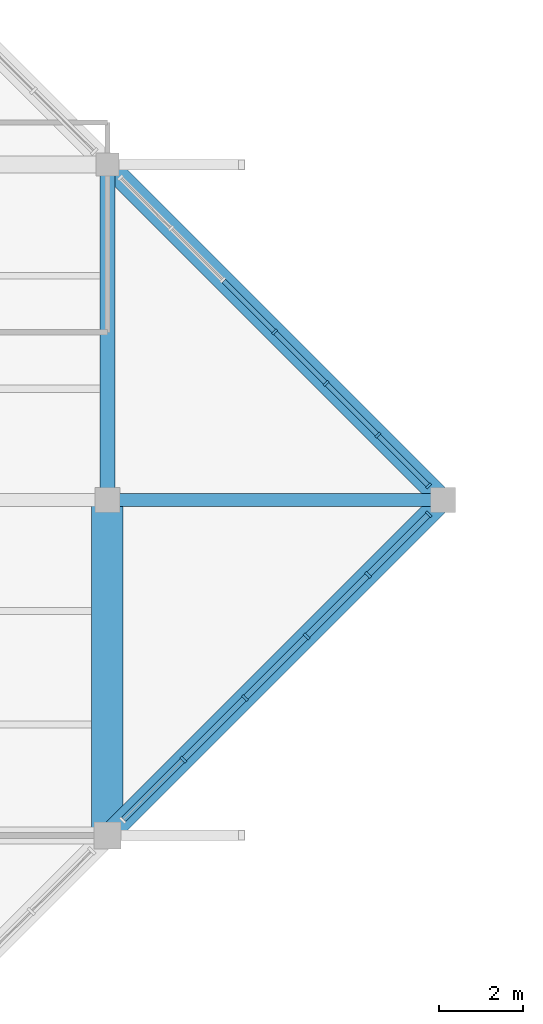
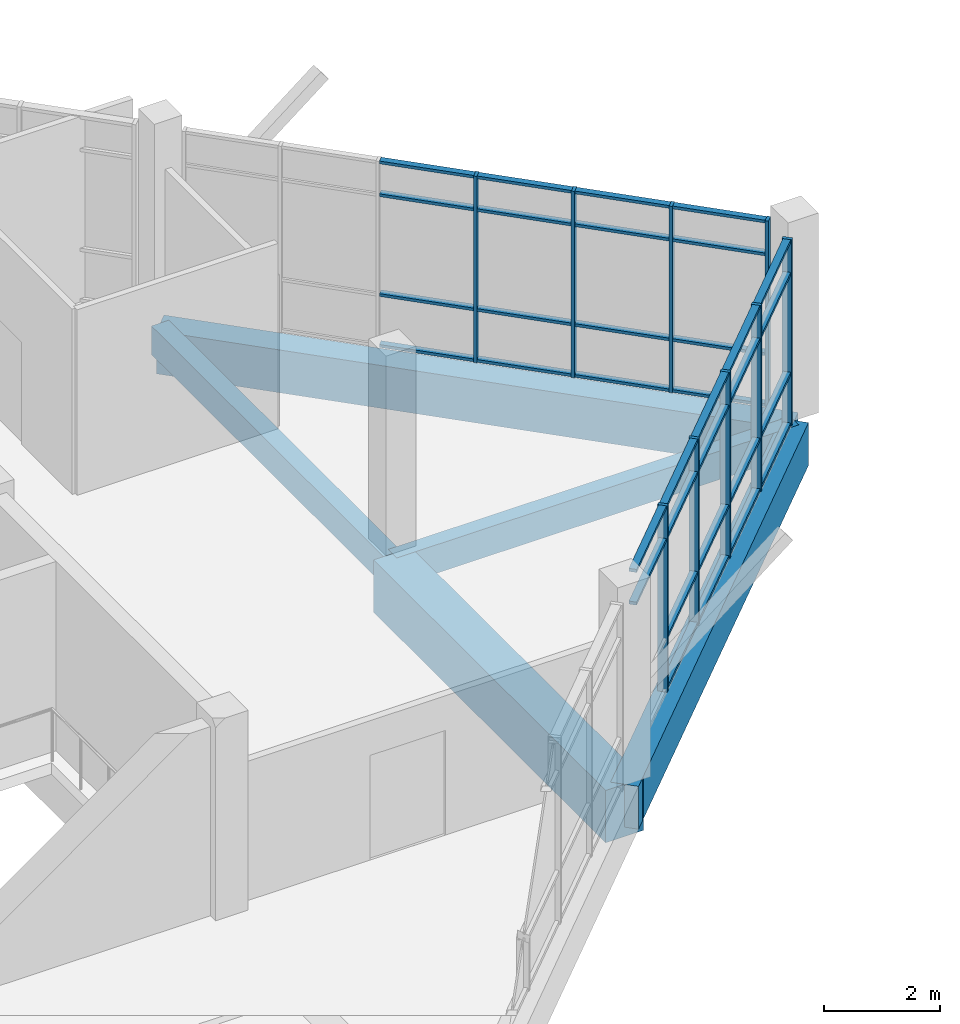
# One storey, part 23 of 72: 43 members, 5 beams, 2 elements without a shape of their own.
"""IFC4 building model written with IfcOpenShell, lengths in metres."""

from ifc_helpers import new_model, si_unit, direction, frame, origin, origin_2d, place, context, subcontext, project, spatial, rectangle, extrude, material, material_profile, profile_set, type_object, element, aggregate, save


model = new_model("IFC4")

# Units and contexts
model_context = context("Model", 3, precision=1e-05, world=origin(), true_north=direction((0.0, 1.0)))
body_context = subcontext(model_context, "Body", "Model", "MODEL_VIEW")
ifc_project = project(units=[si_unit("LENGTHUNIT", "METRE"), si_unit("AREAUNIT", "SQUARE_METRE"), si_unit("VOLUMEUNIT", "CUBIC_METRE"), si_unit("PLANEANGLEUNIT", "RADIAN"), si_unit("MASSUNIT", "GRAM", prefix="KILO")], contexts=[model_context])

# Site, building, storey
site_placement = place(None, origin())
site = spatial("IfcSite", under=ifc_project, at=site_placement, CompositionType="ELEMENT")
building_placement = place(site_placement, origin())
building = spatial("IfcBuilding", under=site, at=building_placement, Name="Tenunan Teduh Sports Hall", CompositionType="ELEMENT")
storey_placement = place(building_placement, frame((0.0, 0.0, 15.0)))
storey = spatial("IfcBuildingStorey", under=building, at=storey_placement, Name="L03", CompositionType="ELEMENT", Elevation=15.0)

# Beams
ifc_material_1 = material(Name="Concrete C40/50", Category="concrete")
ifc_material_profile_1 = material_profile(ifc_material_1, rectangle(XDim=0.300048828125, YDim=0.60009765625, at=origin_2d()), Name="RCB 300x600")
ifc_profile_set_1 = profile_set([ifc_material_profile_1], Name="Concrete C40/50")
beam_type_1 = type_object("IfcBeamType", Name="BM-RC-300x600", PredefinedType="BEAM", material=ifc_profile_set_1)
beam_1_placement = place(storey_placement, frame((70.0, 102.0, -0.5400390625), z_axis=(1.0, 0.0, 0.0), x_axis=(0.0, 1.0, 0.0)))
element("IfcBeam", 1, at=beam_1_placement, inside=storey, type_object=beam_type_1, Name="BM-B-03-L03-1859", PredefinedType="BEAM", context=body_context, shape_type="SweptSolid", body=[
    extrude(rectangle(XDim=0.300048828125, YDim=0.60009765625, at=origin_2d()), origin(), (0.0, 0.0, 1.0), 8.0),
])
ifc_material_2 = material(Name="Concrete C40/50", Category="concrete")
ifc_material_profile_2 = material_profile(ifc_material_2, rectangle(XDim=0.35009765625, YDim=0.60009765625, at=origin_2d()), Name="RCB 350x600")
ifc_profile_set_2 = profile_set([ifc_material_profile_2], Name="Concrete C40/50")
beam_type_2 = type_object("IfcBeamType", Name="BM-RC-350x600", PredefinedType="BEAM", material=ifc_profile_set_2)
beam_2_placement = place(storey_placement, frame((70.0, 102.0, -0.5400390625), z_axis=(0.0, 1.0, 0.0), x_axis=(-1.0, 0.0, 0.0)))
element("IfcBeam", 2, at=beam_2_placement, inside=storey, type_object=beam_type_2, Name="BM-B-04-L03-1931", PredefinedType="BEAM", context=body_context, shape_type="SweptSolid", body=[
    extrude(rectangle(XDim=0.35009765625, YDim=0.60009765625, at=origin_2d()), origin(), (0.0, 0.0, 1.0), 8.0),
])
ifc_material_3 = material(Name="Concrete C40/50", Category="concrete")
ifc_material_profile_3 = material_profile(ifc_material_3, rectangle(XDim=0.5, YDim=0.89990234375, at=origin_2d()), Name="RCB 500x900")
ifc_profile_set_3 = profile_set([ifc_material_profile_3], Name="Concrete C40/50")
beam_type_3 = type_object("IfcBeamType", Name="BM-RC-500x900", PredefinedType="BEAM", material=ifc_profile_set_3)
for number, where, z_axis, x_axis, name in (
    (3, (70.0, 94.0, -0.68994140625), (0.707106781187, 0.707106781187, 0.0), (-0.707106781187, 0.707106781187, 0.0), "BM-B-15-L03-0607"),
    (4, (78.0, 102.0, -0.68994140625), (-0.707106781187, 0.707106781187, 0.0), (-0.707106781187, -0.707106781187, 0.0), "BM-B-15-L03-0609"),
):
    element("IfcBeam", number, at=place(storey_placement, frame(where, z_axis=z_axis, x_axis=x_axis)), inside=storey, type_object=beam_type_3, Name=name, PredefinedType="BEAM", context=body_context, shape_type="SweptSolid", body=[
        extrude(rectangle(XDim=0.5, YDim=0.89990234375, at=origin_2d()), origin(), (0.0, 0.0, 1.0), 11.313720703125),
    ])
ifc_material_4 = material(Name="Concrete C40/50", Category="concrete")
ifc_material_profile_4 = material_profile(ifc_material_4, rectangle(XDim=0.75, YDim=1.10009765625, at=origin_2d()), Name="RCB 750x1100")
ifc_profile_set_4 = profile_set([ifc_material_profile_4], Name="Concrete C40/50")
beam_type_4 = type_object("IfcBeamType", Name="BM-RC-750x1100", PredefinedType="SPANDREL", material=ifc_profile_set_4)
beam_3_placement = place(storey_placement, frame((70.0, 94.0, -0.7900390625), z_axis=(0.0, 1.0, 0.0), x_axis=(-1.0, 0.0, 0.0)))
element("IfcBeam", 5, at=beam_3_placement, inside=storey, type_object=beam_type_4, Name="BM-B-20-L03-1930", PredefinedType="SPANDREL", context=body_context, shape_type="SweptSolid", body=[
    extrude(rectangle(XDim=0.75, YDim=1.10009765625, at=origin_2d()), origin(), (0.0, 0.0, 1.0), 8.0),
])

# Curtain wall, members
ifc_material_5 = material(Name="Anodised aluminium", Category="aluminium")
curtain_wall_type = type_object("IfcCurtainWallType", Name="CW-UNIT-2", PredefinedType="NOTDEFINED", material=ifc_material_5)
curtain_wall_1_placement = place(storey_placement, origin())
curtain_wall_1 = element("IfcCurtainWall", 6, at=curtain_wall_1_placement, inside=storey, type_object=curtain_wall_type, Name="CW-CWM-150-L03-223", PredefinedType="NOTDEFINED")
ifc_material_6 = material(Name="Anodised aluminium", Category="aluminium")
ifc_material_profile_5 = material_profile(ifc_material_6, rectangle(XDim=0.06005859375, YDim=0.14990234375, at=origin_2d()), Name="CWM 60x150")
ifc_profile_set_5 = profile_set([ifc_material_profile_5], Name="Anodised aluminium")
member_type_1 = type_object("IfcMemberType", Name="CWM-150", PredefinedType="MULLION", material=ifc_profile_set_5)
member_1_placement = place(storey_placement, frame((77.663818359375, 102.336181640625, 0.0), z_axis=(0.0, 0.0, 1.0), x_axis=(-0.707106781187, 0.707106781187, 0.0)))
member_1 = element("IfcMember", 7, at=member_1_placement, type_object=member_type_1, Name="CW-02 mullion 1", PredefinedType="MULLION", context=body_context, shape_type="SweptSolid", body=[
    extrude(rectangle(XDim=0.06005859375, YDim=0.14990234375, at=origin_2d()), origin(), (0.0, 0.0, 1.0), 3.919921875),
])
member_2_placement = place(storey_placement, frame((76.452392578125, 103.547607421875, 0.0), z_axis=(0.0, 0.0, 1.0), x_axis=(-0.707106781187, 0.707106781187, 0.0)))
member_2 = element("IfcMember", 8, at=member_2_placement, type_object=member_type_1, Name="CW-02 mullion 2", PredefinedType="MULLION", context=body_context, shape_type="SweptSolid", body=[
    extrude(rectangle(XDim=0.06005859375, YDim=0.14990234375, at=origin_2d()), origin(), (0.0, 0.0, 1.0), 3.919921875),
])
member_3_placement = place(storey_placement, frame((75.219482421875, 104.780517578125, 0.0), z_axis=(0.0, 0.0, 1.0), x_axis=(-0.707106781187, 0.707106781187, 0.0)))
member_3 = element("IfcMember", 9, at=member_3_placement, type_object=member_type_1, Name="CW-02 mullion 3", PredefinedType="MULLION", context=body_context, shape_type="SweptSolid", body=[
    extrude(rectangle(XDim=0.06005859375, YDim=0.14990234375, at=origin_2d()), origin(), (0.0, 0.0, 1.0), 3.919921875),
])
member_4_placement = place(storey_placement, frame((73.98681640625, 106.01318359375, 0.0), z_axis=(0.0, 0.0, 1.0), x_axis=(-0.707106781187, 0.707106781187, 0.0)))
member_4 = element("IfcMember", 10, at=member_4_placement, type_object=member_type_1, Name="CW-02 mullion 4", PredefinedType="MULLION", context=body_context, shape_type="SweptSolid", body=[
    extrude(rectangle(XDim=0.06005859375, YDim=0.14990234375, at=origin_2d()), origin(), (0.0, 0.0, 1.0), 3.919921875),
])

curtain_wall_2_placement = place(storey_placement, origin())
curtain_wall_2 = element("IfcCurtainWall", 11, at=curtain_wall_2_placement, inside=storey, type_object=curtain_wall_type, Name="CW-CWM-175-L03-222", PredefinedType="NOTDEFINED")
ifc_material_7 = material(Name="Anodised aluminium", Category="aluminium")
ifc_material_profile_6 = material_profile(ifc_material_7, rectangle(XDim=0.06494140625, YDim=0.175048828125, at=origin_2d()), Name="CWM 65x175")
ifc_profile_set_6 = profile_set([ifc_material_profile_6], Name="Anodised aluminium")
member_type_2 = type_object("IfcMemberType", Name="CWM-175", PredefinedType="MULLION", material=ifc_profile_set_6)
member_5_placement = place(storey_placement, frame((71.81005859375, 95.81005859375, 0.0), z_axis=(0.0, 0.0, 1.0), x_axis=(0.707106781187, 0.707106781187, 0.0)))
member_5 = element("IfcMember", 12, at=member_5_placement, type_object=member_type_2, Name="CW-02 mullion 2", PredefinedType="MULLION", context=body_context, shape_type="SweptSolid", body=[
    extrude(rectangle(XDim=0.06494140625, YDim=0.175048828125, at=origin_2d()), origin(), (0.0, 0.0, 1.0), 3.919921875),
])
member_6_placement = place(storey_placement, frame((73.27880859375, 97.27880859375, 0.0), z_axis=(0.0, 0.0, 1.0), x_axis=(0.707106781187, 0.707106781187, 0.0)))
member_6 = element("IfcMember", 13, at=member_6_placement, type_object=member_type_2, Name="CW-02 mullion 3", PredefinedType="MULLION", context=body_context, shape_type="SweptSolid", body=[
    extrude(rectangle(XDim=0.06494140625, YDim=0.175048828125, at=origin_2d()), origin(), (0.0, 0.0, 1.0), 3.919921875),
])
member_7_placement = place(storey_placement, frame((74.74755859375, 98.74755859375, 0.0), z_axis=(0.0, 0.0, 1.0), x_axis=(0.707106781187, 0.707106781187, 0.0)))
member_7 = element("IfcMember", 14, at=member_7_placement, type_object=member_type_2, Name="CW-02 mullion 4", PredefinedType="MULLION", context=body_context, shape_type="SweptSolid", body=[
    extrude(rectangle(XDim=0.06494140625, YDim=0.175048828125, at=origin_2d()), origin(), (0.0, 0.0, 1.0), 3.919921875),
])
member_8_placement = place(storey_placement, frame((76.21630859375, 100.21630859375, 0.0), z_axis=(0.0, 0.0, 1.0), x_axis=(0.707106781187, 0.707106781187, 0.0)))
member_8 = element("IfcMember", 15, at=member_8_placement, type_object=member_type_2, Name="CW-02 mullion 5", PredefinedType="MULLION", context=body_context, shape_type="SweptSolid", body=[
    extrude(rectangle(XDim=0.06494140625, YDim=0.175048828125, at=origin_2d()), origin(), (0.0, 0.0, 1.0), 3.919921875),
])
member_9_placement = place(storey_placement, frame((77.662109375, 101.662109375, 0.0), z_axis=(0.0, 0.0, 1.0), x_axis=(0.707106781187, 0.707106781187, 0.0)))
member_9 = element("IfcMember", 16, at=member_9_placement, type_object=member_type_2, Name="CW-02 mullion 6", PredefinedType="MULLION", context=body_context, shape_type="SweptSolid", body=[
    extrude(rectangle(XDim=0.06494140625, YDim=0.175048828125, at=origin_2d()), origin(), (0.0, 0.0, 1.0), 3.919921875),
])

# Member
ifc_material_8 = material(Name="Anodised aluminium", Category="aluminium")
ifc_material_profile_7 = material_profile(ifc_material_8, rectangle(XDim=0.06005859375, YDim=0.1201171875, at=origin_2d()), Name="CWT 60x120")
ifc_profile_set_7 = profile_set([ifc_material_profile_7], Name="Anodised aluminium")
member_type_3 = type_object("IfcMemberType", Name="CWT-125", PredefinedType="USERDEFINED", material=ifc_profile_set_7)
member_10_placement = place(storey_placement, frame((77.642578125, 102.357421875, 0.030029296875), z_axis=(-0.707106781187, 0.707106781187, 0.0), x_axis=(0.0, 0.0, 1.0)))
member_10 = element("IfcMember", 17, at=member_10_placement, type_object=member_type_3, Name="CW-02 transom 1.1", ObjectType="TRANSOM", PredefinedType="USERDEFINED", context=body_context, shape_type="SweptSolid", body=[
    extrude(rectangle(XDim=0.06005859375, YDim=0.1201171875, at=origin_2d()), origin(), (0.0, 0.0, 1.0), 1.653564453125),
])

member_11_placement = place(storey_placement, frame((77.642578125, 102.357421875, 1.10009765625), z_axis=(-0.707106781187, 0.707106781187, 0.0), x_axis=(0.0, 0.0, 1.0)))
member_11 = element("IfcMember", 18, at=member_11_placement, type_object=member_type_3, Name="CW-02 transom 1.2", ObjectType="TRANSOM", PredefinedType="USERDEFINED", context=body_context, shape_type="SweptSolid", body=[
    extrude(rectangle(XDim=0.06005859375, YDim=0.1201171875, at=origin_2d()), origin(), (0.0, 0.0, 1.0), 1.653564453125),
])

member_12_placement = place(storey_placement, frame((77.642578125, 102.357421875, 3.199951171875), z_axis=(-0.707106781187, 0.707106781187, 0.0), x_axis=(0.0, 0.0, 1.0)))
member_12 = element("IfcMember", 19, at=member_12_placement, type_object=member_type_3, Name="CW-02 transom 1.3", ObjectType="TRANSOM", PredefinedType="USERDEFINED", context=body_context, shape_type="SweptSolid", body=[
    extrude(rectangle(XDim=0.06005859375, YDim=0.1201171875, at=origin_2d()), origin(), (0.0, 0.0, 1.0), 1.653564453125),
])

member_13_placement = place(storey_placement, frame((77.642578125, 102.357421875, 3.889892578125), z_axis=(-0.707106781187, 0.707106781187, 0.0), x_axis=(0.0, 0.0, 1.0)))
member_13 = element("IfcMember", 20, at=member_13_placement, type_object=member_type_3, Name="CW-02 transom 1.4", ObjectType="TRANSOM", PredefinedType="USERDEFINED", context=body_context, shape_type="SweptSolid", body=[
    extrude(rectangle(XDim=0.06005859375, YDim=0.1201171875, at=origin_2d()), origin(), (0.0, 0.0, 1.0), 1.653564453125),
])

member_14_placement = place(storey_placement, frame((76.43115234375, 103.56884765625, 0.030029296875), z_axis=(-0.707106781187, 0.707106781187, 0.0), x_axis=(0.0, 0.0, 1.0)))
member_14 = element("IfcMember", 21, at=member_14_placement, type_object=member_type_3, Name="CW-02 transom 2.1", ObjectType="TRANSOM", PredefinedType="USERDEFINED", context=body_context, shape_type="SweptSolid", body=[
    extrude(rectangle(XDim=0.06005859375, YDim=0.1201171875, at=origin_2d()), origin(), (0.0, 0.0, 1.0), 1.68359375),
])

member_15_placement = place(storey_placement, frame((76.43115234375, 103.56884765625, 1.10009765625), z_axis=(-0.707106781187, 0.707106781187, 0.0), x_axis=(0.0, 0.0, 1.0)))
member_15 = element("IfcMember", 22, at=member_15_placement, type_object=member_type_3, Name="CW-02 transom 2.2", ObjectType="TRANSOM", PredefinedType="USERDEFINED", context=body_context, shape_type="SweptSolid", body=[
    extrude(rectangle(XDim=0.06005859375, YDim=0.1201171875, at=origin_2d()), origin(), (0.0, 0.0, 1.0), 1.68359375),
])

member_16_placement = place(storey_placement, frame((76.43115234375, 103.56884765625, 3.199951171875), z_axis=(-0.707106781187, 0.707106781187, 0.0), x_axis=(0.0, 0.0, 1.0)))
member_16 = element("IfcMember", 23, at=member_16_placement, type_object=member_type_3, Name="CW-02 transom 2.3", ObjectType="TRANSOM", PredefinedType="USERDEFINED", context=body_context, shape_type="SweptSolid", body=[
    extrude(rectangle(XDim=0.06005859375, YDim=0.1201171875, at=origin_2d()), origin(), (0.0, 0.0, 1.0), 1.68359375),
])

member_17_placement = place(storey_placement, frame((76.43115234375, 103.56884765625, 3.889892578125), z_axis=(-0.707106781187, 0.707106781187, 0.0), x_axis=(0.0, 0.0, 1.0)))
member_17 = element("IfcMember", 24, at=member_17_placement, type_object=member_type_3, Name="CW-02 transom 2.4", ObjectType="TRANSOM", PredefinedType="USERDEFINED", context=body_context, shape_type="SweptSolid", body=[
    extrude(rectangle(XDim=0.06005859375, YDim=0.1201171875, at=origin_2d()), origin(), (0.0, 0.0, 1.0), 1.68359375),
])

member_18_placement = place(storey_placement, frame((75.1982421875, 104.8017578125, 0.030029296875), z_axis=(-0.707106781187, 0.707106781187, 0.0), x_axis=(0.0, 0.0, 1.0)))
member_18 = element("IfcMember", 25, at=member_18_placement, type_object=member_type_3, Name="CW-02 transom 3.1", ObjectType="TRANSOM", PredefinedType="USERDEFINED", context=body_context, shape_type="SweptSolid", body=[
    extrude(rectangle(XDim=0.06005859375, YDim=0.1201171875, at=origin_2d()), origin(), (0.0, 0.0, 1.0), 1.68310546875),
])

member_19_placement = place(storey_placement, frame((75.1982421875, 104.8017578125, 1.10009765625), z_axis=(-0.707106781187, 0.707106781187, 0.0), x_axis=(0.0, 0.0, 1.0)))
member_19 = element("IfcMember", 26, at=member_19_placement, type_object=member_type_3, Name="CW-02 transom 3.2", ObjectType="TRANSOM", PredefinedType="USERDEFINED", context=body_context, shape_type="SweptSolid", body=[
    extrude(rectangle(XDim=0.06005859375, YDim=0.1201171875, at=origin_2d()), origin(), (0.0, 0.0, 1.0), 1.68310546875),
])

member_20_placement = place(storey_placement, frame((75.1982421875, 104.8017578125, 3.199951171875), z_axis=(-0.707106781187, 0.707106781187, 0.0), x_axis=(0.0, 0.0, 1.0)))
member_20 = element("IfcMember", 27, at=member_20_placement, type_object=member_type_3, Name="CW-02 transom 3.3", ObjectType="TRANSOM", PredefinedType="USERDEFINED", context=body_context, shape_type="SweptSolid", body=[
    extrude(rectangle(XDim=0.06005859375, YDim=0.1201171875, at=origin_2d()), origin(), (0.0, 0.0, 1.0), 1.68310546875),
])

member_21_placement = place(storey_placement, frame((75.1982421875, 104.8017578125, 3.889892578125), z_axis=(-0.707106781187, 0.707106781187, 0.0), x_axis=(0.0, 0.0, 1.0)))
member_21 = element("IfcMember", 28, at=member_21_placement, type_object=member_type_3, Name="CW-02 transom 3.4", ObjectType="TRANSOM", PredefinedType="USERDEFINED", context=body_context, shape_type="SweptSolid", body=[
    extrude(rectangle(XDim=0.06005859375, YDim=0.1201171875, at=origin_2d()), origin(), (0.0, 0.0, 1.0), 1.68310546875),
])

member_22_placement = place(storey_placement, frame((73.965576171875, 106.034423828125, 0.030029296875), z_axis=(-0.707106781187, 0.707106781187, 0.0), x_axis=(0.0, 0.0, 1.0)))
member_22 = element("IfcMember", 29, at=member_22_placement, type_object=member_type_3, Name="CW-02 transom 4.1", ObjectType="TRANSOM", PredefinedType="USERDEFINED", context=body_context, shape_type="SweptSolid", body=[
    extrude(rectangle(XDim=0.06005859375, YDim=0.1201171875, at=origin_2d()), origin(), (0.0, 0.0, 1.0), 1.68310546875),
])

member_23_placement = place(storey_placement, frame((73.965576171875, 106.034423828125, 1.10009765625), z_axis=(-0.707106781187, 0.707106781187, 0.0), x_axis=(0.0, 0.0, 1.0)))
member_23 = element("IfcMember", 30, at=member_23_placement, type_object=member_type_3, Name="CW-02 transom 4.2", ObjectType="TRANSOM", PredefinedType="USERDEFINED", context=body_context, shape_type="SweptSolid", body=[
    extrude(rectangle(XDim=0.06005859375, YDim=0.1201171875, at=origin_2d()), origin(), (0.0, 0.0, 1.0), 1.68310546875),
])

member_24_placement = place(storey_placement, frame((73.965576171875, 106.034423828125, 3.199951171875), z_axis=(-0.707106781187, 0.707106781187, 0.0), x_axis=(0.0, 0.0, 1.0)))
member_24 = element("IfcMember", 31, at=member_24_placement, type_object=member_type_3, Name="CW-02 transom 4.3", ObjectType="TRANSOM", PredefinedType="USERDEFINED", context=body_context, shape_type="SweptSolid", body=[
    extrude(rectangle(XDim=0.06005859375, YDim=0.1201171875, at=origin_2d()), origin(), (0.0, 0.0, 1.0), 1.68310546875),
])

member_25_placement = place(storey_placement, frame((73.965576171875, 106.034423828125, 3.889892578125), z_axis=(-0.707106781187, 0.707106781187, 0.0), x_axis=(0.0, 0.0, 1.0)))
member_25 = element("IfcMember", 32, at=member_25_placement, type_object=member_type_3, Name="CW-02 transom 4.4", ObjectType="TRANSOM", PredefinedType="USERDEFINED", context=body_context, shape_type="SweptSolid", body=[
    extrude(rectangle(XDim=0.06005859375, YDim=0.1201171875, at=origin_2d()), origin(), (0.0, 0.0, 1.0), 1.68310546875),
])

aggregate(curtain_wall_1, [member_1, member_2, member_3, member_4, member_10, member_11, member_12, member_13, member_14, member_15, member_16, member_17, member_18, member_19, member_20, member_21, member_22, member_23, member_24, member_25])

ifc_material_9 = material(Name="Anodised aluminium", Category="aluminium")
ifc_material_profile_8 = material_profile(ifc_material_9, rectangle(XDim=0.06494140625, YDim=0.139892578125, at=origin_2d()), Name="CWT 65x140")
ifc_profile_set_8 = profile_set([ifc_material_profile_8], Name="Anodised aluminium")
member_type_4 = type_object("IfcMemberType", Name="CWT-150", PredefinedType="USERDEFINED", material=ifc_profile_set_8)
member_26_placement = place(storey_placement, frame((70.38720703125, 94.38720703125, 3.199951171875), z_axis=(0.707106781187, 0.707106781187, 0.0), x_axis=(0.0, 0.0, 1.0)))
member_26 = element("IfcMember", 33, at=member_26_placement, type_object=member_type_4, Name="CW-02 transom 1.3", ObjectType="TRANSOM", PredefinedType="USERDEFINED", context=body_context, shape_type="SweptSolid", body=[
    extrude(rectangle(XDim=0.06494140625, YDim=0.139892578125, at=origin_2d()), origin(), (0.0, 0.0, 1.0), 1.979736328125),
])

member_27_placement = place(storey_placement, frame((70.38720703125, 94.38720703125, 3.887451171875), z_axis=(0.707106781187, 0.707106781187, 0.0), x_axis=(0.0, 0.0, 1.0)))
member_27 = element("IfcMember", 34, at=member_27_placement, type_object=member_type_4, Name="CW-02 transom 1.4", ObjectType="TRANSOM", PredefinedType="USERDEFINED", context=body_context, shape_type="SweptSolid", body=[
    extrude(rectangle(XDim=0.06494140625, YDim=0.139892578125, at=origin_2d()), origin(), (0.0, 0.0, 1.0), 1.979736328125),
])

member_28_placement = place(storey_placement, frame((71.8330078125, 95.8330078125, 0.032470703125), z_axis=(0.707106781187, 0.707106781187, 0.0), x_axis=(0.0, 0.0, 1.0)))
member_28 = element("IfcMember", 35, at=member_28_placement, type_object=member_type_4, Name="CW-02 transom 2.1", ObjectType="TRANSOM", PredefinedType="USERDEFINED", context=body_context, shape_type="SweptSolid", body=[
    extrude(rectangle(XDim=0.06494140625, YDim=0.139892578125, at=origin_2d()), origin(), (0.0, 0.0, 1.0), 2.01220703125),
])

member_29_placement = place(storey_placement, frame((71.8330078125, 95.8330078125, 1.10009765625), z_axis=(0.707106781187, 0.707106781187, 0.0), x_axis=(0.0, 0.0, 1.0)))
member_29 = element("IfcMember", 36, at=member_29_placement, type_object=member_type_4, Name="CW-02 transom 2.2", ObjectType="TRANSOM", PredefinedType="USERDEFINED", context=body_context, shape_type="SweptSolid", body=[
    extrude(rectangle(XDim=0.06494140625, YDim=0.139892578125, at=origin_2d()), origin(), (0.0, 0.0, 1.0), 2.01220703125),
])

member_30_placement = place(storey_placement, frame((71.8330078125, 95.8330078125, 3.199951171875), z_axis=(0.707106781187, 0.707106781187, 0.0), x_axis=(0.0, 0.0, 1.0)))
member_30 = element("IfcMember", 37, at=member_30_placement, type_object=member_type_4, Name="CW-02 transom 2.3", ObjectType="TRANSOM", PredefinedType="USERDEFINED", context=body_context, shape_type="SweptSolid", body=[
    extrude(rectangle(XDim=0.06494140625, YDim=0.139892578125, at=origin_2d()), origin(), (0.0, 0.0, 1.0), 2.01220703125),
])

member_31_placement = place(storey_placement, frame((71.8330078125, 95.8330078125, 3.887451171875), z_axis=(0.707106781187, 0.707106781187, 0.0), x_axis=(0.0, 0.0, 1.0)))
member_31 = element("IfcMember", 38, at=member_31_placement, type_object=member_type_4, Name="CW-02 transom 2.4", ObjectType="TRANSOM", PredefinedType="USERDEFINED", context=body_context, shape_type="SweptSolid", body=[
    extrude(rectangle(XDim=0.06494140625, YDim=0.139892578125, at=origin_2d()), origin(), (0.0, 0.0, 1.0), 2.01220703125),
])

member_32_placement = place(storey_placement, frame((73.3017578125, 97.3017578125, 0.032470703125), z_axis=(0.707106781187, 0.707106781187, 0.0), x_axis=(0.0, 0.0, 1.0)))
member_32 = element("IfcMember", 39, at=member_32_placement, type_object=member_type_4, Name="CW-02 transom 3.1", ObjectType="TRANSOM", PredefinedType="USERDEFINED", context=body_context, shape_type="SweptSolid", body=[
    extrude(rectangle(XDim=0.06494140625, YDim=0.139892578125, at=origin_2d()), origin(), (0.0, 0.0, 1.0), 2.01220703125),
])

member_33_placement = place(storey_placement, frame((73.3017578125, 97.3017578125, 1.10009765625), z_axis=(0.707106781187, 0.707106781187, 0.0), x_axis=(0.0, 0.0, 1.0)))
member_33 = element("IfcMember", 40, at=member_33_placement, type_object=member_type_4, Name="CW-02 transom 3.2", ObjectType="TRANSOM", PredefinedType="USERDEFINED", context=body_context, shape_type="SweptSolid", body=[
    extrude(rectangle(XDim=0.06494140625, YDim=0.139892578125, at=origin_2d()), origin(), (0.0, 0.0, 1.0), 2.01220703125),
])

member_34_placement = place(storey_placement, frame((73.3017578125, 97.3017578125, 3.199951171875), z_axis=(0.707106781187, 0.707106781187, 0.0), x_axis=(0.0, 0.0, 1.0)))
member_34 = element("IfcMember", 41, at=member_34_placement, type_object=member_type_4, Name="CW-02 transom 3.3", ObjectType="TRANSOM", PredefinedType="USERDEFINED", context=body_context, shape_type="SweptSolid", body=[
    extrude(rectangle(XDim=0.06494140625, YDim=0.139892578125, at=origin_2d()), origin(), (0.0, 0.0, 1.0), 2.01220703125),
])

member_35_placement = place(storey_placement, frame((73.3017578125, 97.3017578125, 3.887451171875), z_axis=(0.707106781187, 0.707106781187, 0.0), x_axis=(0.0, 0.0, 1.0)))
member_35 = element("IfcMember", 42, at=member_35_placement, type_object=member_type_4, Name="CW-02 transom 3.4", ObjectType="TRANSOM", PredefinedType="USERDEFINED", context=body_context, shape_type="SweptSolid", body=[
    extrude(rectangle(XDim=0.06494140625, YDim=0.139892578125, at=origin_2d()), origin(), (0.0, 0.0, 1.0), 2.01220703125),
])

member_36_placement = place(storey_placement, frame((74.7705078125, 98.7705078125, 0.032470703125), z_axis=(0.707106781187, 0.707106781187, 0.0), x_axis=(0.0, 0.0, 1.0)))
member_36 = element("IfcMember", 43, at=member_36_placement, type_object=member_type_4, Name="CW-02 transom 4.1", ObjectType="TRANSOM", PredefinedType="USERDEFINED", context=body_context, shape_type="SweptSolid", body=[
    extrude(rectangle(XDim=0.06494140625, YDim=0.139892578125, at=origin_2d()), origin(), (0.0, 0.0, 1.0), 2.01220703125),
])

member_37_placement = place(storey_placement, frame((74.7705078125, 98.7705078125, 1.10009765625), z_axis=(0.707106781187, 0.707106781187, 0.0), x_axis=(0.0, 0.0, 1.0)))
member_37 = element("IfcMember", 44, at=member_37_placement, type_object=member_type_4, Name="CW-02 transom 4.2", ObjectType="TRANSOM", PredefinedType="USERDEFINED", context=body_context, shape_type="SweptSolid", body=[
    extrude(rectangle(XDim=0.06494140625, YDim=0.139892578125, at=origin_2d()), origin(), (0.0, 0.0, 1.0), 2.01220703125),
])

member_38_placement = place(storey_placement, frame((74.7705078125, 98.7705078125, 3.199951171875), z_axis=(0.707106781187, 0.707106781187, 0.0), x_axis=(0.0, 0.0, 1.0)))
member_38 = element("IfcMember", 45, at=member_38_placement, type_object=member_type_4, Name="CW-02 transom 4.3", ObjectType="TRANSOM", PredefinedType="USERDEFINED", context=body_context, shape_type="SweptSolid", body=[
    extrude(rectangle(XDim=0.06494140625, YDim=0.139892578125, at=origin_2d()), origin(), (0.0, 0.0, 1.0), 2.01220703125),
])

member_39_placement = place(storey_placement, frame((74.7705078125, 98.7705078125, 3.887451171875), z_axis=(0.707106781187, 0.707106781187, 0.0), x_axis=(0.0, 0.0, 1.0)))
member_39 = element("IfcMember", 46, at=member_39_placement, type_object=member_type_4, Name="CW-02 transom 4.4", ObjectType="TRANSOM", PredefinedType="USERDEFINED", context=body_context, shape_type="SweptSolid", body=[
    extrude(rectangle(XDim=0.06494140625, YDim=0.139892578125, at=origin_2d()), origin(), (0.0, 0.0, 1.0), 2.01220703125),
])

member_40_placement = place(storey_placement, frame((76.2392578125, 100.2392578125, 0.032470703125), z_axis=(0.707106781187, 0.707106781187, 0.0), x_axis=(0.0, 0.0, 1.0)))
member_40 = element("IfcMember", 47, at=member_40_placement, type_object=member_type_4, Name="CW-02 transom 5.1", ObjectType="TRANSOM", PredefinedType="USERDEFINED", context=body_context, shape_type="SweptSolid", body=[
    extrude(rectangle(XDim=0.06494140625, YDim=0.139892578125, at=origin_2d()), origin(), (0.0, 0.0, 1.0), 1.9794921875),
])

member_41_placement = place(storey_placement, frame((76.2392578125, 100.2392578125, 1.10009765625), z_axis=(0.707106781187, 0.707106781187, 0.0), x_axis=(0.0, 0.0, 1.0)))
member_41 = element("IfcMember", 48, at=member_41_placement, type_object=member_type_4, Name="CW-02 transom 5.2", ObjectType="TRANSOM", PredefinedType="USERDEFINED", context=body_context, shape_type="SweptSolid", body=[
    extrude(rectangle(XDim=0.06494140625, YDim=0.139892578125, at=origin_2d()), origin(), (0.0, 0.0, 1.0), 1.9794921875),
])

member_42_placement = place(storey_placement, frame((76.2392578125, 100.2392578125, 3.199951171875), z_axis=(0.707106781187, 0.707106781187, 0.0), x_axis=(0.0, 0.0, 1.0)))
member_42 = element("IfcMember", 49, at=member_42_placement, type_object=member_type_4, Name="CW-02 transom 5.3", ObjectType="TRANSOM", PredefinedType="USERDEFINED", context=body_context, shape_type="SweptSolid", body=[
    extrude(rectangle(XDim=0.06494140625, YDim=0.139892578125, at=origin_2d()), origin(), (0.0, 0.0, 1.0), 1.9794921875),
])

member_43_placement = place(storey_placement, frame((76.2392578125, 100.2392578125, 3.887451171875), z_axis=(0.707106781187, 0.707106781187, 0.0), x_axis=(0.0, 0.0, 1.0)))
member_43 = element("IfcMember", 50, at=member_43_placement, type_object=member_type_4, Name="CW-02 transom 5.4", ObjectType="TRANSOM", PredefinedType="USERDEFINED", context=body_context, shape_type="SweptSolid", body=[
    extrude(rectangle(XDim=0.06494140625, YDim=0.139892578125, at=origin_2d()), origin(), (0.0, 0.0, 1.0), 1.9794921875),
])

aggregate(curtain_wall_2, [member_5, member_6, member_7, member_8, member_9, member_26, member_27, member_28, member_29, member_30, member_31, member_32, member_33, member_34, member_35, member_36, member_37, member_38, member_39, member_40, member_41, member_42, member_43])

save(model, "model.ifc")
